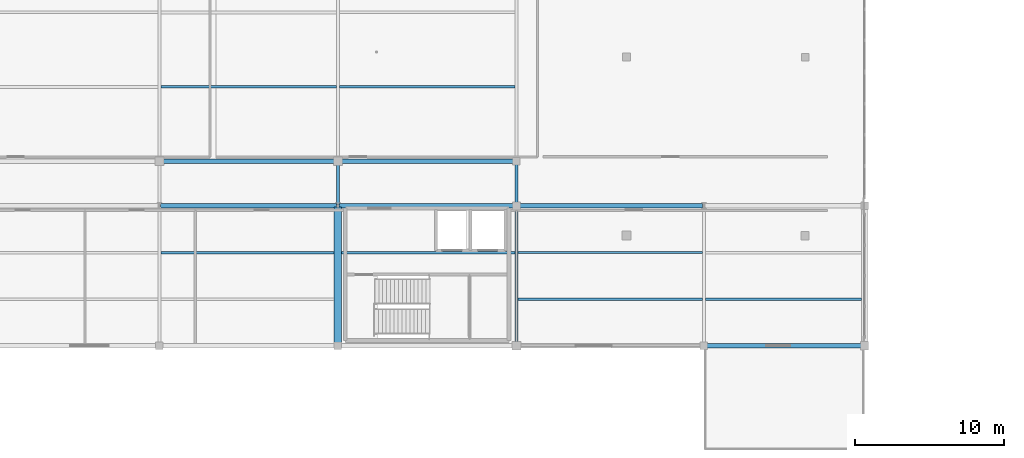
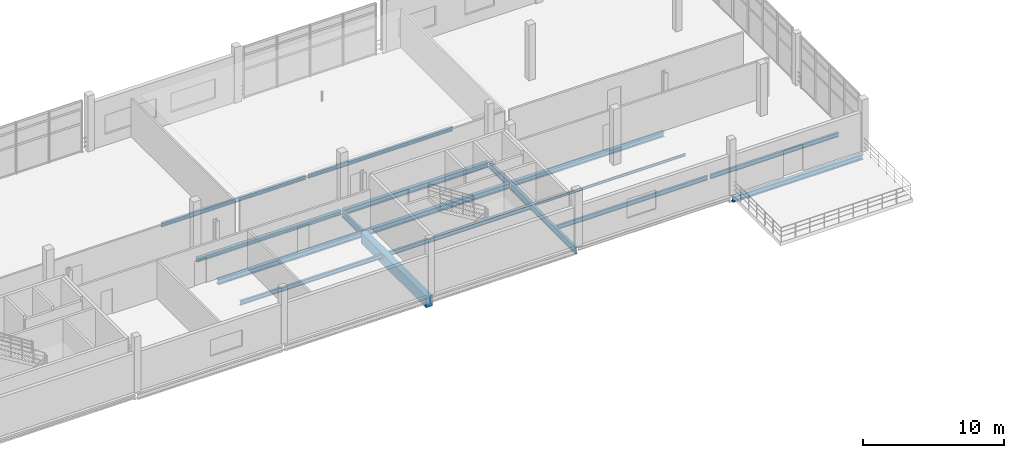
# One storey, part 21 of 52: 17 beams.
"""IFC4 building model written with IfcOpenShell, lengths in metres."""

import ifcopenshell
import ifcopenshell.guid

model = None  # the IFC model being written
_history = None  # IfcOwnerHistory: only IFC2X3 demands one
_inside = {}  # id of a spatial element -> (the spatial element, [elements in it])
_under = {}  # id of a project, library or spatial element -> (it, [spatial elements below it])
_declared = {}  # id of a project -> (the project, [libraries it declares])
_typed = {}  # id of a type object -> (the type object, [elements of that type])
_made_of = {}  # id of a material, layer set ... -> (it, [elements and type objects made of it])


def new_model(schema):
    """Start an empty IFC model of exactly this schema.

    Asked for "IFC4X3", IfcOpenShell would pick the latest addendum, in which some entities
    have other attributes; the version numbers below select the first issue.
    IFC2X3 requires an IfcOwnerHistory on every rooted entity: one is made here for all.
    """
    global model, _history
    if schema == "IFC4X3":
        model = ifcopenshell.file(schema_version=(4, 3, 0, 0))
    else:
        model = ifcopenshell.file(schema=schema)
    _inside.clear()
    _under.clear()
    _declared.clear()
    _typed.clear()
    _made_of.clear()
    _history = None
    if model.schema == "IFC2X3":
        org = make("IfcOrganization", Name="unknown")
        user = make(
            "IfcPersonAndOrganization",
            ThePerson=make("IfcPerson", FamilyName="unknown"),
            TheOrganization=org,
        )
        app = make(
            "IfcApplication",
            ApplicationDeveloper=org,
            Version="unknown",
            ApplicationFullName="unknown",
            ApplicationIdentifier="unknown",
        )
        _history = make(
            "IfcOwnerHistory",
            OwningUser=user,
            OwningApplication=app,
            ChangeAction="ADDED",
            CreationDate=0,
        )
    return model


def make(cls, **values):
    """One entity of the class cls with the attributes given. An attribute that is None is left unset."""
    return model.create_entity(
        cls, **{name: value for name, value in values.items() if value is not None}
    )


def rooted(cls, **values):
    """An entity with a GlobalId (a new one), such as an element, a storey or a relation."""
    return make(cls, GlobalId=ifcopenshell.guid.new(), OwnerHistory=_history, **values)


def si_unit(unit_type, name, prefix=None):
    """IfcSIUnit, for example si_unit("LENGTHUNIT", "METRE", prefix="MILLI")."""
    return make("IfcSIUnit", UnitType=unit_type, Prefix=prefix, Name=name)


def assignment(units):
    """IfcUnitAssignment: the units of a project."""
    return None if units is None else make("IfcUnitAssignment", Units=units)


def point(xyz):
    """IfcCartesianPoint."""
    return None if xyz is None else make("IfcCartesianPoint", Coordinates=xyz)


def direction(xyz):
    """IfcDirection."""
    return None if xyz is None else make("IfcDirection", DirectionRatios=xyz)


def frame(location, z_axis=None, x_axis=None):
    """IfcAxis2Placement3D, a coordinate frame: its origin and axes. An axis left out is left unset."""
    return make(
        "IfcAxis2Placement3D",
        Location=point(location),
        Axis=direction(z_axis),
        RefDirection=direction(x_axis),
    )


def frame_2d(location, x_axis=None):
    """IfcAxis2Placement2D, a coordinate frame in the plane: its origin and x axis."""
    return make(
        "IfcAxis2Placement2D", Location=point(location), RefDirection=direction(x_axis)
    )


def origin():
    """The frame at (0, 0, 0) with its axes left unset."""
    return frame((0.0, 0.0, 0.0))


def origin_2d():
    """The frame at (0, 0) in the plane with its x axis left unset."""
    return frame_2d((0.0, 0.0))


def place(relative_to, where):
    """IfcLocalPlacement: puts the frame where relative to a parent placement (None: the world)."""
    return make(
        "IfcLocalPlacement", PlacementRelTo=relative_to, RelativePlacement=where
    )


def context(
    kind, dimensions, precision=None, world=None, true_north=None, identifier=None
):
    """IfcGeometricRepresentationContext, for example the 3D "Model" context."""
    return make(
        "IfcGeometricRepresentationContext",
        ContextIdentifier=identifier,
        ContextType=kind,
        CoordinateSpaceDimension=dimensions,
        Precision=precision,
        WorldCoordinateSystem=world,
        TrueNorth=true_north,
    )


def subcontext(parent, identifier, kind, view, scale=None):
    """IfcGeometricRepresentationSubContext, for example "Body" below "Model"."""
    return make(
        "IfcGeometricRepresentationSubContext",
        ContextIdentifier=identifier,
        ContextType=kind,
        ParentContext=parent,
        TargetScale=scale,
        TargetView=view,
    )


def project(units=None, contexts=None):
    """IfcProject with its units and contexts."""
    return rooted(
        "IfcProject",
        Name="project",
        RepresentationContexts=contexts,
        UnitsInContext=assignment(units),
    )


def spatial(cls, under=None, at=None, **own):
    """A site, building, storey or space (cls), placed at a placement, below another one or the project."""
    s = rooted(cls, ObjectPlacement=at, **own)
    if under is not None:
        _under.setdefault(under.id(), (under, []))[1].append(s)
    return s


def profile(cls, at=None, kind="AREA", **sizes):
    """A parametric profile (cls). Its sizes go by their IFC names, for example OverallWidth=200.0."""
    return make(cls, ProfileType=kind, Position=at, **sizes)


def rectangle(**sizes):
    """IfcRectangleProfileDef."""
    return profile("IfcRectangleProfileDef", **sizes)


def i_section(**sizes):
    """IfcIShapeProfileDef."""
    return profile("IfcIShapeProfileDef", **sizes)


def extrude(swept, where, along, depth):
    """IfcExtrudedAreaSolid: the profile swept, set in the frame where, extruded along a direction by depth."""
    return make(
        "IfcExtrudedAreaSolid",
        SweptArea=swept,
        Position=where,
        ExtrudedDirection=direction(along),
        Depth=depth,
    )


def shape(context_of_items, identifier, shape_type, items):
    """IfcShapeRepresentation: the items that make up one representation, for example the "Body"."""
    return make(
        "IfcShapeRepresentation",
        ContextOfItems=context_of_items,
        RepresentationIdentifier=identifier,
        RepresentationType=shape_type,
        Items=items,
    )


def material(Name=None, Category=None):
    """IfcMaterial."""
    return make("IfcMaterial", Name=Name, Category=Category)


def material_profile(
    of_material, cross_section, Name=None, Category=None, Priority=None
):
    """IfcMaterialProfile: a cross section and its material."""
    return make(
        "IfcMaterialProfile",
        Name=Name,
        Material=of_material,
        Profile=cross_section,
        Priority=Priority,
        Category=Category,
    )


def profile_set(profiles, Name=None, composite=None):
    """IfcMaterialProfileSet."""
    return make(
        "IfcMaterialProfileSet",
        Name=Name,
        MaterialProfiles=profiles,
        CompositeProfile=composite,
    )


def made_of(thing, what):
    """Note that an element or type object is made of a material, layer set ...; save() writes the relation."""
    if what is not None:
        _made_of.setdefault(what.id(), (what, []))[1].append(thing)
    return thing


def type_object(cls, material=None, **own):
    """A type object (cls), such as IfcWallType, which elements share."""
    return made_of(rooted(cls, **own), material)


def element(
    cls,
    number,
    at=None,
    inside=None,
    cuts=None,
    type_object=None,
    material=None,
    context=None,
    identifier="Body",
    shape_type=None,
    held_by="IfcProductDefinitionShape",
    body=None,
    shapes=None,
    **own,
):
    """One element of the class cls, such as IfcWall. Its Tag is "e" and its number.

    at: its placement. inside: the storey or other place that contains it. cuts: it is an
    opening in that element (IfcRelVoidsElement). A single representation is given by context,
    identifier, shape_type and body (its items); several are given by shapes. held_by: the class
    of the entity that holds the representations. save() writes the other relations.
    """
    e = rooted(cls, Tag="e%d" % number, ObjectPlacement=at, **own)
    if body is not None:
        shapes = [shape(context, identifier, shape_type, body)]
    if shapes is not None:
        e.Representation = make(held_by, Representations=shapes)
    if inside is not None:
        _inside.setdefault(inside.id(), (inside, []))[1].append(e)
    if cuts is not None:
        rooted(
            "IfcRelVoidsElement", RelatingBuildingElement=cuts, RelatedOpeningElement=e
        )
    if type_object is not None:
        _typed.setdefault(type_object.id(), (type_object, []))[1].append(e)
    return made_of(e, material)


def aggregate(whole, parts):
    """IfcRelAggregates: a whole, such as a stair, and the parts it consists of."""
    return rooted("IfcRelAggregates", RelatingObject=whole, RelatedObjects=parts)


def save(model, path):
    """Write the relations noted so far, then the file.

    IfcRelAggregates (storeys below a building ...), IfcRelContainedInSpatialStructure (elements
    in a storey), IfcRelDefinesByType, IfcRelAssociatesMaterial and IfcRelDeclares: one each for
    every whole, place, type object, material and project.
    """
    for whole, parts in _under.values():
        aggregate(whole, parts)
    for where, things in _inside.values():
        rooted(
            "IfcRelContainedInSpatialStructure",
            RelatedElements=things,
            RelatingStructure=where,
        )
    for kind, things in _typed.values():
        rooted("IfcRelDefinesByType", RelatedObjects=things, RelatingType=kind)
    for what, things in _made_of.values():
        rooted("IfcRelAssociatesMaterial", RelatedObjects=things, RelatingMaterial=what)
    for by, libraries in _declared.values():
        rooted("IfcRelDeclares", RelatingContext=by, RelatedDefinitions=libraries)
    model.write(path)


model = new_model("IFC4")

# Units and contexts
model_context = context("Model", 3, precision=1e-05, world=origin(), true_north=direction((0.0, 1.0)))
body_context = subcontext(model_context, "Body", "Model", "MODEL_VIEW")
ifc_project = project(units=[si_unit("LENGTHUNIT", "METRE"), si_unit("AREAUNIT", "SQUARE_METRE"), si_unit("VOLUMEUNIT", "CUBIC_METRE"), si_unit("PLANEANGLEUNIT", "RADIAN"), si_unit("MASSUNIT", "GRAM", prefix="KILO"), si_unit("THERMODYNAMICTEMPERATUREUNIT", "KELVIN"), si_unit("POWERUNIT", "WATT")], contexts=[model_context])

# Site, building, storey
site_placement = place(None, origin())
site = spatial("IfcSite", under=ifc_project, at=site_placement, CompositionType="ELEMENT")
building_placement = place(site_placement, origin())
building = spatial("IfcBuilding", under=site, at=building_placement, Name="Solmara Park Aquatics Centre", CompositionType="ELEMENT")
storey_placement = place(building_placement, frame((0.0, 0.0, 9.60009765625)))
storey = spatial("IfcBuildingStorey", under=building, at=storey_placement, Name="L02", CompositionType="ELEMENT", Elevation=9.60009765625)

# Beams
ifc_material_1 = material(Name="Structural Steel S355", Category="steel")
ifc_material_profile_1 = material_profile(ifc_material_1, i_section(OverallWidth=0.300048828125, OverallDepth=0.330078125, WebThickness=0.009521484375, FlangeThickness=0.0166015625, FilletRadius=0.027099609375, at=origin_2d()), Name="HEA 340")
ifc_profile_set_1 = profile_set([ifc_material_profile_1], Name="Structural Steel S355")
beam_type_1 = type_object("IfcBeamType", Name="STR-BM-HEA340", PredefinedType="BEAM", material=ifc_profile_set_1)
beam_1_placement = place(storey_placement, frame((72.679931640625, 121.0, -0.485107421875), z_axis=(1.0, 0.0, 0.0), x_axis=(0.0, 1.0, 0.0)))
element("IfcBeam", 1, at=beam_1_placement, inside=storey, type_object=beam_type_1, Name="Girder BM-L02-0402", PredefinedType="BEAM", context=body_context, shape_type="SweptSolid", body=[
    extrude(i_section(OverallWidth=0.300048828125, OverallDepth=0.330078125, WebThickness=0.009521484375, FlangeThickness=0.0166015625, FilletRadius=0.027099609375, at=origin_2d()), origin(), (0.0, 0.0, 1.0), 11.840087890625),
])
ifc_material_profile_2 = material_profile(ifc_material_1, i_section(OverallWidth=0.300048828125, OverallDepth=0.389892578125, WebThickness=0.010986328125, FlangeThickness=0.01904296875, FilletRadius=0.027099609375, at=origin_2d()), Name="HEA 400")
ifc_profile_set_2 = profile_set([ifc_material_profile_2], Name="Structural Steel S355")
beam_type_2 = type_object("IfcBeamType", Name="STR-BM-HEA400", PredefinedType="BEAM", material=ifc_profile_set_2)
beam_2_placement = place(storey_placement, frame((96.679931640625, 118.0, -0.51513671875), z_axis=(1.0, 0.0, 0.0), x_axis=(0.0, 1.0, 0.0)))
element("IfcBeam", 2, at=beam_2_placement, inside=storey, type_object=beam_type_2, Name="Girder BM-L02-0396", PredefinedType="BEAM", context=body_context, shape_type="SweptSolid", body=[
    extrude(i_section(OverallWidth=0.300048828125, OverallDepth=0.389892578125, WebThickness=0.010986328125, FlangeThickness=0.01904296875, FilletRadius=0.027099609375, at=origin_2d()), origin(), (0.0, 0.0, 1.0), 12.440185546875),
])
ifc_material_profile_3 = material_profile(ifc_material_1, i_section(OverallWidth=0.300048828125, OverallDepth=0.449951171875, WebThickness=0.013916015625, FlangeThickness=0.02587890625, FilletRadius=0.027099609375, at=origin_2d()), Name="HEB 450")
ifc_profile_set_3 = profile_set([ifc_material_profile_3], Name="Structural Steel S355")
beam_type_3 = type_object("IfcBeamType", Name="STR-BM-HEB450", PredefinedType="BEAM", material=ifc_profile_set_3)
beam_3_placement = place(storey_placement, frame((109.280029296875, 108.60009765625, -0.545166015625), z_axis=(1.0, 0.0, 0.0), x_axis=(0.0, 1.0, 0.0)))
element("IfcBeam", 3, at=beam_3_placement, inside=storey, type_object=beam_type_3, Name="Girder BM-L02-0389", PredefinedType="BEAM", context=body_context, shape_type="SweptSolid", body=[
    extrude(i_section(OverallWidth=0.300048828125, OverallDepth=0.449951171875, WebThickness=0.013916015625, FlangeThickness=0.02587890625, FilletRadius=0.027099609375, at=origin_2d()), origin(), (0.0, 0.0, 1.0), 10.639892578125),
])
for number, where, z_axis, x_axis, name in (
    (4, (72.679931640625, 118.0, -0.545166015625), (1.0, 0.0, 0.0), (0.0, 1.0, 0.0), "Girder BM-L02-0394"),
    (5, (84.679931640625, 118.0, -0.545166015625), (1.0, 0.0, 0.0), (0.0, 1.0, 0.0), "Girder BM-L02-0395"),
    (6, (84.679931640625, 121.0, -0.545166015625), (1.0, 0.0, 0.0), (0.0, 1.0, 0.0), "Girder BM-L02-0403"),
):
    element("IfcBeam", number, at=place(storey_placement, frame(where, z_axis=z_axis, x_axis=x_axis)), inside=storey, type_object=beam_type_3, Name=name, PredefinedType="BEAM", context=body_context, shape_type="SweptSolid", body=[
        extrude(i_section(OverallWidth=0.300048828125, OverallDepth=0.449951171875, WebThickness=0.013916015625, FlangeThickness=0.02587890625, FilletRadius=0.027099609375, at=origin_2d()), origin(), (0.0, 0.0, 1.0), 11.840087890625),
    ])
ifc_material_profile_4 = material_profile(ifc_material_1, i_section(OverallWidth=0.2099609375, OverallDepth=0.550048828125, WebThickness=0.010986328125, FlangeThickness=0.01708984375, FilletRadius=0.02392578125, at=origin_2d()), Name="IPE 550")
ifc_profile_set_4 = profile_set([ifc_material_profile_4], Name="Structural Steel S355")
beam_type_4 = type_object("IfcBeamType", Name="STR-BM-IPE550", PredefinedType="BEAM", material=ifc_profile_set_4)
beam_4_placement = place(storey_placement, frame((84.60009765625, 118.080078125, -0.59521484375), z_axis=(0.0, 1.0, 0.0), x_axis=(-1.0, 0.0, 0.0)))
element("IfcBeam", 7, at=beam_4_placement, inside=storey, type_object=beam_type_4, Name="Girder BM-L02-0428", PredefinedType="BEAM", context=body_context, shape_type="SweptSolid", body=[
    extrude(i_section(OverallWidth=0.2099609375, OverallDepth=0.550048828125, WebThickness=0.010986328125, FlangeThickness=0.01708984375, FilletRadius=0.02392578125, at=origin_2d()), origin(), (0.0, 0.0, 1.0), 2.83984375),
])
beam_5_placement = place(storey_placement, frame((96.60009765625, 108.679931640625, -0.59521484375), z_axis=(0.0, 1.0, 0.0), x_axis=(-1.0, 0.0, 0.0)))
element("IfcBeam", 8, at=beam_5_placement, inside=storey, type_object=beam_type_4, Name="Girder BM-L02-0430", PredefinedType="BEAM", context=body_context, shape_type="SweptSolid", body=[
    extrude(i_section(OverallWidth=0.2099609375, OverallDepth=0.550048828125, WebThickness=0.010986328125, FlangeThickness=0.01708984375, FilletRadius=0.02392578125, at=origin_2d()), origin(), (0.0, 0.0, 1.0), 9.239990234375),
])
beam_6_placement = place(storey_placement, frame((96.60009765625, 118.080078125, -0.59521484375), z_axis=(0.0, 1.0, 0.0), x_axis=(-1.0, 0.0, 0.0)))
element("IfcBeam", 9, at=beam_6_placement, inside=storey, type_object=beam_type_4, Name="Girder BM-L02-0431", PredefinedType="BEAM", context=body_context, shape_type="SweptSolid", body=[
    extrude(i_section(OverallWidth=0.2099609375, OverallDepth=0.550048828125, WebThickness=0.010986328125, FlangeThickness=0.01708984375, FilletRadius=0.02392578125, at=origin_2d()), origin(), (0.0, 0.0, 1.0), 2.83984375),
])
ifc_material_2 = material(Name="Concrete C40/50", Category="concrete")
ifc_material_profile_5 = material_profile(ifc_material_2, rectangle(XDim=0.5, YDim=0.949951171875, at=origin_2d()), Name="RC 500x950")
ifc_profile_set_5 = profile_set([ifc_material_profile_5], Name="Concrete C40/50")
beam_type_5 = type_object("IfcBeamType", Name="STR-BM-RC500x950", PredefinedType="BEAM", material=ifc_profile_set_5)
beam_7_placement = place(storey_placement, frame((84.60009765625, 108.679931640625, -0.795166015625), z_axis=(0.0, 1.0, 0.0), x_axis=(-1.0, 0.0, 0.0)))
element("IfcBeam", 10, at=beam_7_placement, inside=storey, type_object=beam_type_5, Name="Girder BM-L02-0427", PredefinedType="BEAM", context=body_context, shape_type="SweptSolid", body=[
    extrude(rectangle(XDim=0.5, YDim=0.949951171875, at=origin_2d()), origin(), (0.0, 0.0, 1.0), 9.239990234375),
])
ifc_material_profile_6 = material_profile(ifc_material_1, i_section(OverallWidth=0.110107421875, OverallDepth=0.219970703125, WebThickness=0.005859375, FlangeThickness=0.00927734375, FilletRadius=0.011962890625, at=origin_2d()), Name="IPE 220")
ifc_profile_set_6 = profile_set([ifc_material_profile_6], Name="Structural Steel S355")
beam_type_6 = type_object("IfcBeamType", Name="STR-JST-IPE220", PredefinedType="JOIST", material=ifc_profile_set_6)
beam_8_placement = place(storey_placement, frame((96.705078125, 114.86669921875, -0.43017578125), z_axis=(1.0, 0.0, 0.0), x_axis=(0.0, 1.0, 0.0)))
element("IfcBeam", 11, at=beam_8_placement, inside=storey, type_object=beam_type_6, Name="Floor Joist JST-L02-0239", PredefinedType="JOIST", context=body_context, shape_type="SweptSolid", body=[
    extrude(i_section(OverallWidth=0.110107421875, OverallDepth=0.219970703125, WebThickness=0.005859375, FlangeThickness=0.00927734375, FilletRadius=0.011962890625, at=origin_2d()), origin(), (0.0, 0.0, 1.0), 12.389892578125),
])
ifc_material_profile_7 = material_profile(ifc_material_1, i_section(OverallWidth=0.169921875, OverallDepth=0.360107421875, WebThickness=0.008056640625, FlangeThickness=0.0126953125, FilletRadius=0.01806640625, at=origin_2d()), Name="IPE 360")
ifc_profile_set_7 = profile_set([ifc_material_profile_7], Name="Structural Steel S355")
beam_type_7 = type_object("IfcBeamType", Name="STR-JST-IPE360", PredefinedType="JOIST", material=ifc_profile_set_7)
beam_9_placement = place(storey_placement, frame((72.705078125, 114.86669921875, -0.5), z_axis=(1.0, 0.0, 0.0), x_axis=(0.0, 1.0, 0.0)))
element("IfcBeam", 12, at=beam_9_placement, inside=storey, type_object=beam_type_7, Name="Floor Joist JST-L02-0232", PredefinedType="JOIST", context=body_context, shape_type="SweptSolid", body=[
    extrude(i_section(OverallWidth=0.169921875, OverallDepth=0.360107421875, WebThickness=0.008056640625, FlangeThickness=0.0126953125, FilletRadius=0.01806640625, at=origin_2d()), origin(), (0.0, 0.0, 1.0), 11.64501953125),
])
beam_10_placement = place(storey_placement, frame((72.705078125, 126.0, -0.5), z_axis=(1.0, 0.0, 0.0), x_axis=(0.0, 1.0, 0.0)))
element("IfcBeam", 13, at=beam_10_placement, inside=storey, type_object=beam_type_7, Name="Floor Joist JST-L02-0233", PredefinedType="JOIST", context=body_context, shape_type="SweptSolid", body=[
    extrude(i_section(OverallWidth=0.169921875, OverallDepth=0.360107421875, WebThickness=0.008056640625, FlangeThickness=0.0126953125, FilletRadius=0.01806640625, at=origin_2d()), origin(), (0.0, 0.0, 1.0), 11.7900390625),
])
beam_11_placement = place(storey_placement, frame((84.85009765625, 114.86669921875, -0.5), z_axis=(1.0, 0.0, 0.0), x_axis=(0.0, 1.0, 0.0)))
element("IfcBeam", 14, at=beam_11_placement, inside=storey, type_object=beam_type_7, Name="Floor Joist JST-L02-0235", PredefinedType="JOIST", context=body_context, shape_type="SweptSolid", body=[
    extrude(i_section(OverallWidth=0.169921875, OverallDepth=0.360107421875, WebThickness=0.008056640625, FlangeThickness=0.0126953125, FilletRadius=0.01806640625, at=origin_2d()), origin(), (0.0, 0.0, 1.0), 11.64501953125),
])
beam_12_placement = place(storey_placement, frame((84.705078125, 126.0, -0.5), z_axis=(1.0, 0.0, 0.0), x_axis=(0.0, 1.0, 0.0)))
element("IfcBeam", 15, at=beam_12_placement, inside=storey, type_object=beam_type_7, Name="Floor Joist JST-L02-0236", PredefinedType="JOIST", context=body_context, shape_type="SweptSolid", body=[
    extrude(i_section(OverallWidth=0.169921875, OverallDepth=0.360107421875, WebThickness=0.008056640625, FlangeThickness=0.0126953125, FilletRadius=0.01806640625, at=origin_2d()), origin(), (0.0, 0.0, 1.0), 11.7900390625),
])
beam_13_placement = place(storey_placement, frame((96.705078125, 111.7333984375, -0.5), z_axis=(1.0, 0.0, 0.0), x_axis=(0.0, 1.0, 0.0)))
element("IfcBeam", 16, at=beam_13_placement, inside=storey, type_object=beam_type_7, Name="Floor Joist JST-L02-0238", PredefinedType="JOIST", context=body_context, shape_type="SweptSolid", body=[
    extrude(i_section(OverallWidth=0.169921875, OverallDepth=0.360107421875, WebThickness=0.008056640625, FlangeThickness=0.0126953125, FilletRadius=0.01806640625, at=origin_2d()), origin(), (0.0, 0.0, 1.0), 12.389892578125),
])
beam_14_placement = place(storey_placement, frame((109.304931640625, 111.7333984375, -0.5), z_axis=(1.0, 0.0, 0.0), x_axis=(0.0, 1.0, 0.0)))
element("IfcBeam", 17, at=beam_14_placement, inside=storey, type_object=beam_type_7, Name="Floor Joist JST-L02-0240", PredefinedType="JOIST", context=body_context, shape_type="SweptSolid", body=[
    extrude(i_section(OverallWidth=0.169921875, OverallDepth=0.360107421875, WebThickness=0.008056640625, FlangeThickness=0.0126953125, FilletRadius=0.01806640625, at=origin_2d()), origin(), (0.0, 0.0, 1.0), 10.469970703125),
])

save(model, "model.ifc")
